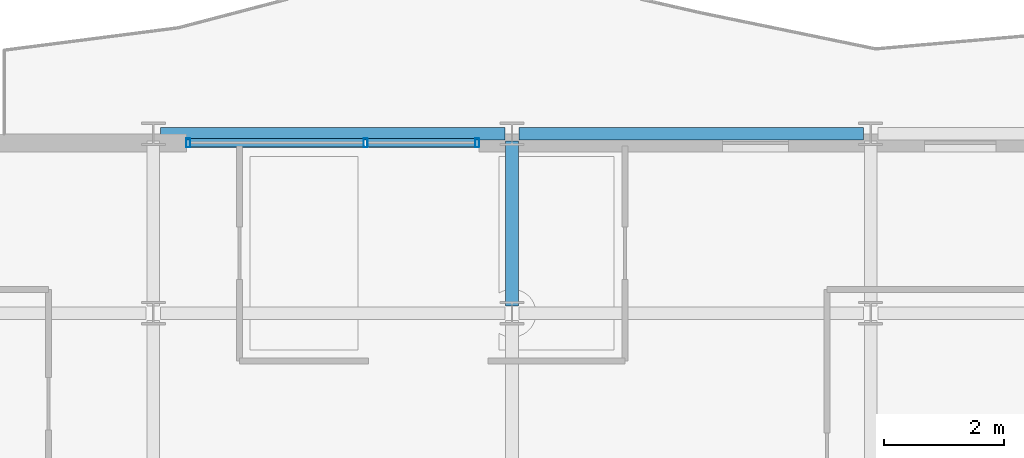
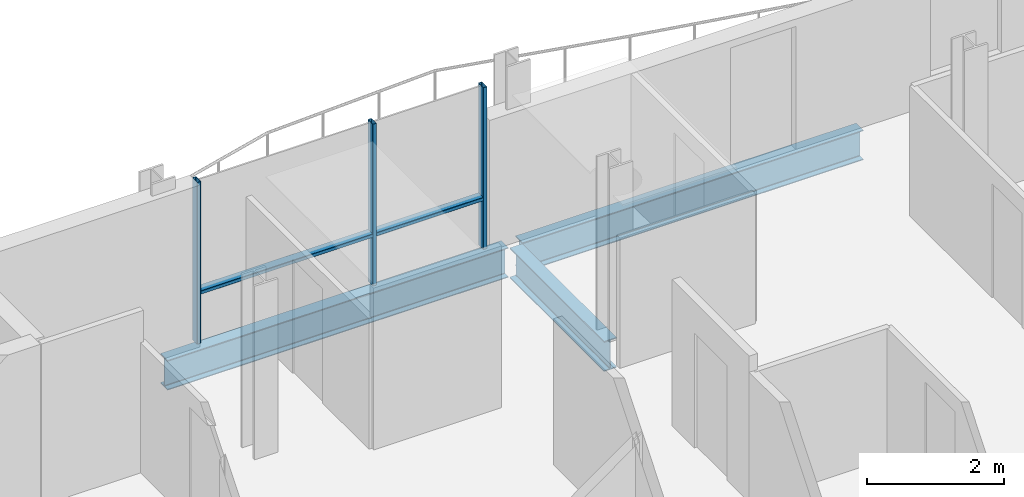
# One storey, part 7 of 28: 5 members, 3 beams, 1 element without a shape of its own.
"""IFC4 building model written with IfcOpenShell, lengths in metres."""

from ifc_helpers import new_model, si_unit, direction, frame, origin, origin_2d, place, context, subcontext, project, spatial, hollow_rectangle, i_section, extrude, material, layer, layer_set, material_profile, profile_set, type_object, element, aggregate, save


model = new_model("IFC4")

# Units and contexts
model_context = context("Model", 3, precision=1e-05, world=origin(), true_north=direction((0.0, 1.0)))
body_context = subcontext(model_context, "Body", "Model", "MODEL_VIEW")
ifc_project = project(units=[si_unit("LENGTHUNIT", "METRE"), si_unit("AREAUNIT", "SQUARE_METRE"), si_unit("VOLUMEUNIT", "CUBIC_METRE"), si_unit("PLANEANGLEUNIT", "RADIAN"), si_unit("MASSUNIT", "GRAM", prefix="KILO")], contexts=[model_context])

# Site, building, storey
site_placement = place(None, origin())
site = spatial("IfcSite", under=ifc_project, at=site_placement, CompositionType="ELEMENT")
building_placement = place(site_placement, origin())
building = spatial("IfcBuilding", under=site, at=building_placement, Name="Brevholm Reach", CompositionType="ELEMENT")
storey_placement = place(building_placement, frame((0.0, 0.0, 192.5)))
storey = spatial("IfcBuildingStorey", under=building, at=storey_placement, Name="L58", CompositionType="ELEMENT", Elevation=192.5)

# Beams
ifc_material_1 = material(Name="Structural Steel S355J2", Category="steel")
ifc_material_profile_1 = material_profile(ifc_material_1, i_section(OverallWidth=0.209228515625, OverallDepth=0.533203125, WebThickness=0.010009765625, FlangeThickness=0.015625, FilletRadius=0.0126953125, at=origin_2d()), Name="UKB 533x210x92")
ifc_profile_set_1 = profile_set([ifc_material_profile_1], Name="Structural Steel S355J2")
beam_type_1 = type_object("IfcBeamType", Name="BM-SP533", PredefinedType="SPANDREL", material=ifc_profile_set_1)
for number, where, z_axis, x_axis, name in (
    (1, (6.1201171875, 26.5, -0.4765625), (1.0, 0.0, 0.0), (0.0, 1.0, 0.0), "L58 SP-02 Framing Beam"),
    (2, (12.1201171875, 26.5, -0.4765625), (1.0, 0.0, 0.0), (0.0, 1.0, 0.0), "L58 SP-02 Framing Beam"),
):
    element("IfcBeam", number, at=place(storey_placement, frame(where, z_axis=z_axis, x_axis=x_axis)), inside=storey, type_object=beam_type_1, Name=name, PredefinedType="SPANDREL", context=body_context, shape_type="SweptSolid", body=[
        extrude(i_section(OverallWidth=0.209228515625, OverallDepth=0.533203125, WebThickness=0.010009765625, FlangeThickness=0.015625, FilletRadius=0.0126953125, at=origin_2d()), origin(), (0.0, 0.0, 1.0), 5.759765625),
    ])
ifc_material_2 = material(Name="Structural Steel S355J2", Category="steel")
ifc_material_profile_2 = material_profile(ifc_material_2, i_section(OverallWidth=0.210693359375, OverallDepth=0.53955078125, WebThickness=0.01171875, FlangeThickness=0.018798828125, FilletRadius=0.0126953125, at=origin_2d()), Name="UKB 533x210x109")
ifc_profile_set_2 = profile_set([ifc_material_profile_2], Name="Structural Steel S355J2")
beam_type_2 = type_object("IfcBeamType", Name="BM-SP539", PredefinedType="SPANDREL", material=ifc_profile_set_2)
beam_placement = place(storey_placement, frame((12.0, 23.6201171875, -0.479736328125), z_axis=(0.0, 1.0, 0.0), x_axis=(-1.0, 0.0, 0.0)))
element("IfcBeam", 3, at=beam_placement, inside=storey, type_object=beam_type_2, Name="L58 SP-01B Framing Beam", PredefinedType="SPANDREL", context=body_context, shape_type="SweptSolid", body=[
    extrude(i_section(OverallWidth=0.210693359375, OverallDepth=0.53955078125, WebThickness=0.01171875, FlangeThickness=0.018798828125, FilletRadius=0.0126953125, at=origin_2d()), origin(), (0.0, 0.0, 1.0), 2.759765625),
])

# Curtain wall, members
ifc_material_3 = material(Name="Dark Anodised Aluminium 6063-T6 and Solar-Control Glass", Category="aluminium")
ifc_layer = layer(ifc_material_3, 0.14990234375)
ifc_layer_set = layer_set([ifc_layer], Name="Dark Anodised Aluminium 6063-T6 and Solar-Control Glass")
curtain_wall_type = type_object("IfcCurtainWallType", Name="CW-01", PredefinedType="NOTDEFINED", material=ifc_layer_set)
curtain_wall_placement = place(storey_placement, origin())
curtain_wall = element("IfcCurtainWall", 4, at=curtain_wall_placement, inside=storey, type_object=curtain_wall_type, Name="L58 Curtain Wall CW-01", PredefinedType="NOTDEFINED")
ifc_material_4 = material(Name="Dark Anodised Aluminium 6063-T6", Category="aluminium")
ifc_material_profile_3 = material_profile(ifc_material_4, hollow_rectangle(XDim=0.06494140625, YDim=0.14990234375, WallThickness=0.0048828125, InnerFilletRadius=0.0048828125, OuterFilletRadius=0.010009765625, at=origin_2d()), Name="RHS 150x65x5")
ifc_profile_set_3 = profile_set([ifc_material_profile_3], Name="Dark Anodised Aluminium 6063-T6")
member_type_1 = type_object("IfcMemberType", Name="CWM-150", PredefinedType="MULLION", material=ifc_profile_set_3)
member_1_placement = place(storey_placement, frame((6.58251953125, 26.35009765625, 0.0), z_axis=(0.0, 0.0, 1.0), x_axis=(1.0, 0.0, 0.0)))
member_1 = element("IfcMember", 5, at=member_1_placement, type_object=member_type_1, Name="CM-150 Mullion 1", PredefinedType="MULLION", context=body_context, shape_type="SweptSolid", body=[
    extrude(hollow_rectangle(XDim=0.06494140625, YDim=0.14990234375, WallThickness=0.0048828125, InnerFilletRadius=0.0048828125, OuterFilletRadius=0.010009765625, at=origin_2d()), origin(), (0.0, 0.0, 1.0), 2.889892578125),
])
member_2_placement = place(storey_placement, frame((9.550048828125, 26.35009765625, 0.0), z_axis=(0.0, 0.0, 1.0), x_axis=(1.0, 0.0, 0.0)))
member_2 = element("IfcMember", 6, at=member_2_placement, type_object=member_type_1, Name="CM-150 Mullion 2", PredefinedType="MULLION", context=body_context, shape_type="SweptSolid", body=[
    extrude(hollow_rectangle(XDim=0.06494140625, YDim=0.14990234375, WallThickness=0.0048828125, InnerFilletRadius=0.0048828125, OuterFilletRadius=0.010009765625, at=origin_2d()), origin(), (0.0, 0.0, 1.0), 2.889892578125),
])
member_3_placement = place(storey_placement, frame((11.41748046875, 26.35009765625, 0.0), z_axis=(0.0, 0.0, 1.0), x_axis=(1.0, 0.0, 0.0)))
member_3 = element("IfcMember", 7, at=member_3_placement, type_object=member_type_1, Name="CM-150 Mullion 3", PredefinedType="MULLION", context=body_context, shape_type="SweptSolid", body=[
    extrude(hollow_rectangle(XDim=0.06494140625, YDim=0.14990234375, WallThickness=0.0048828125, InnerFilletRadius=0.0048828125, OuterFilletRadius=0.010009765625, at=origin_2d()), origin(), (0.0, 0.0, 1.0), 2.889892578125),
])
ifc_material_5 = material(Name="Dark Anodised Aluminium 6063-T6", Category="aluminium")
ifc_material_profile_4 = material_profile(ifc_material_5, hollow_rectangle(XDim=0.06494140625, YDim=0.14990234375, WallThickness=0.0048828125, InnerFilletRadius=0.0048828125, OuterFilletRadius=0.010009765625, at=origin_2d()), Name="RHS 150x65x5")
ifc_profile_set_4 = profile_set([ifc_material_profile_4], Name="Dark Anodised Aluminium 6063-T6")
member_type_2 = type_object("IfcMemberType", Name="CWT-150", PredefinedType="NOTDEFINED", material=ifc_profile_set_4)
member_4_placement = place(storey_placement, frame((6.614990234375, 26.35009765625, 0.89990234375), z_axis=(1.0, 0.0, 0.0), x_axis=(0.0, 0.0, 1.0)))
member_4 = element("IfcMember", 8, at=member_4_placement, type_object=member_type_2, Name="CT-150 Transom 1.1", ObjectType="TRANSOM", PredefinedType="USERDEFINED", context=body_context, shape_type="SweptSolid", body=[
    extrude(hollow_rectangle(XDim=0.06494140625, YDim=0.14990234375, WallThickness=0.0048828125, InnerFilletRadius=0.0048828125, OuterFilletRadius=0.010009765625, at=origin_2d()), origin(), (0.0, 0.0, 1.0), 2.902587890625),
])
member_5_placement = place(storey_placement, frame((9.58251953125, 26.35009765625, 0.89990234375), z_axis=(1.0, 0.0, 0.0), x_axis=(0.0, 0.0, 1.0)))
member_5 = element("IfcMember", 9, at=member_5_placement, type_object=member_type_2, Name="CT-150 Transom 2.1", ObjectType="TRANSOM", PredefinedType="USERDEFINED", context=body_context, shape_type="SweptSolid", body=[
    extrude(hollow_rectangle(XDim=0.06494140625, YDim=0.14990234375, WallThickness=0.0048828125, InnerFilletRadius=0.0048828125, OuterFilletRadius=0.010009765625, at=origin_2d()), origin(), (0.0, 0.0, 1.0), 1.802490234375),
])
aggregate(curtain_wall, [member_1, member_2, member_3, member_4, member_5])

save(model, "model.ifc")
